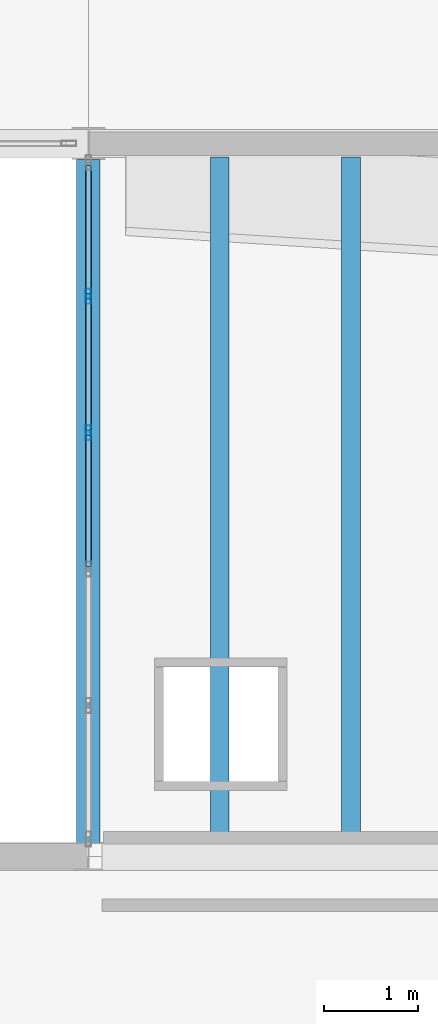
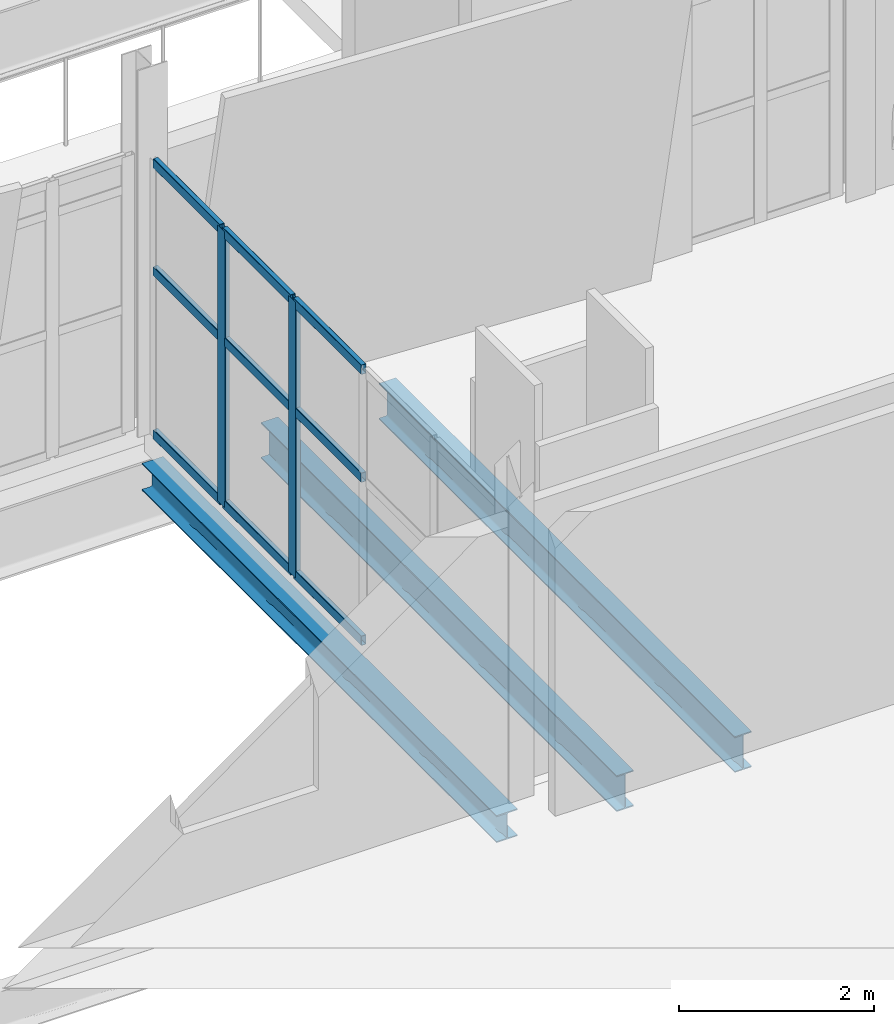
# One storey, part 12 of 136: 11 members, 3 beams, 1 element without a shape of its own.
"""IFC4 building model written with IfcOpenShell, lengths in metres."""

from ifc_helpers import new_model, si_unit, direction, frame, origin, origin_2d, place, context, subcontext, project, spatial, hollow_rectangle, i_section, extrude, material, material_profile, profile_set, type_object, element, aggregate, save


model = new_model("IFC4")

# Units and contexts
model_context = context("Model", 3, precision=1e-05, world=origin(), true_north=direction((0.0, 1.0)))
body_context = subcontext(model_context, "Body", "Model", "MODEL_VIEW")
ifc_project = project(units=[si_unit("LENGTHUNIT", "METRE"), si_unit("AREAUNIT", "SQUARE_METRE"), si_unit("VOLUMEUNIT", "CUBIC_METRE"), si_unit("PLANEANGLEUNIT", "RADIAN"), si_unit("MASSUNIT", "GRAM", prefix="KILO")], contexts=[model_context])

# Site, building, storey
site_placement = place(None, origin())
site = spatial("IfcSite", under=ifc_project, at=site_placement, CompositionType="ELEMENT")
building_placement = place(site_placement, origin())
building = spatial("IfcBuilding", under=site, at=building_placement, Name="Shengluoqiao Park Theatre", CompositionType="ELEMENT")
storey_placement = place(building_placement, frame((0.0, 0.0, 10.0)))
storey = spatial("IfcBuildingStorey", under=building, at=storey_placement, Name="L02", CompositionType="ELEMENT", Elevation=10.0)

# Curtain wall, members
ifc_material_1 = material(Name="Aluminium 6063-T6", Category="aluminium")
curtain_wall_type = type_object("IfcCurtainWallType", Name="ENV-CW-COURT", PredefinedType="NOTDEFINED", material=ifc_material_1)
curtain_wall_placement = place(storey_placement, origin())
curtain_wall = element("IfcCurtainWall", 1, at=curtain_wall_placement, inside=storey, type_object=curtain_wall_type, Name="L02 Curtain Wall CWX-L02-0165", PredefinedType="NOTDEFINED")
ifc_material_profile_1 = material_profile(ifc_material_1, hollow_rectangle(XDim=0.06005859375, YDim=0.159912109375, WallThickness=0.00390625, InnerFilletRadius=0.00390625, OuterFilletRadius=0.008056640625, at=origin_2d()), Name="ALU MULLION 160x60x4")
ifc_profile_set_1 = profile_set([ifc_material_profile_1], Name="Aluminium 6063-T6")
member_type_1 = type_object("IfcMemberType", Name="ENV-MUL-160", PredefinedType="MULLION", material=ifc_profile_set_1)
member_1_placement = place(storey_placement, frame((19.199951171875, 27.31591796875, 0.0), z_axis=(0.0, 0.0, 1.0), x_axis=(-1.0, 0.0, 0.0)))
member_1 = element("IfcMember", 2, at=member_1_placement, type_object=member_type_1, Name="CW-05 mullion 4", PredefinedType="MULLION", context=body_context, shape_type="SweptSolid", body=[
    extrude(hollow_rectangle(XDim=0.06005859375, YDim=0.159912109375, WallThickness=0.00390625, InnerFilletRadius=0.00390625, OuterFilletRadius=0.008056640625, at=origin_2d()), origin(), (0.0, 0.0, 1.0), 3.4580078125),
])
member_2_placement = place(storey_placement, frame((19.199951171875, 28.77001953125, 0.0), z_axis=(0.0, 0.0, 1.0), x_axis=(-1.0, 0.0, 0.0)))
member_2 = element("IfcMember", 3, at=member_2_placement, type_object=member_type_1, Name="CW-05 mullion 5", PredefinedType="MULLION", context=body_context, shape_type="SweptSolid", body=[
    extrude(hollow_rectangle(XDim=0.06005859375, YDim=0.159912109375, WallThickness=0.00390625, InnerFilletRadius=0.00390625, OuterFilletRadius=0.008056640625, at=origin_2d()), origin(), (0.0, 0.0, 1.0), 3.4580078125),
])
ifc_material_profile_2 = material_profile(ifc_material_1, hollow_rectangle(XDim=0.06005859375, YDim=0.1201171875, WallThickness=0.00390625, InnerFilletRadius=0.00390625, OuterFilletRadius=0.008056640625, at=origin_2d()), Name="ALU TRANSOM 120x60x4")
ifc_profile_set_2 = profile_set([ifc_material_profile_2], Name="Aluminium 6063-T6")
member_type_2 = type_object("IfcMemberType", Name="ENV-TRN-120", PredefinedType="USERDEFINED", material=ifc_profile_set_2)
member_3_placement = place(storey_placement, frame((19.199951171875, 25.89208984375, 0.030029296875), z_axis=(0.0, 1.0, 0.0), x_axis=(-1.0, 0.0, 0.0)))
member_3 = element("IfcMember", 4, at=member_3_placement, type_object=member_type_2, Name="CW-05 transom 3.1", ObjectType="TRANSOM", PredefinedType="USERDEFINED", context=body_context, shape_type="SweptSolid", body=[
    extrude(hollow_rectangle(XDim=0.06005859375, YDim=0.1201171875, WallThickness=0.00390625, InnerFilletRadius=0.00390625, OuterFilletRadius=0.008056640625, at=origin_2d()), origin(), (0.0, 0.0, 1.0), 1.393798828125),
])
member_4_placement = place(storey_placement, frame((19.199951171875, 25.89208984375, 2.074951171875), z_axis=(0.0, 1.0, 0.0), x_axis=(-1.0, 0.0, 0.0)))
member_4 = element("IfcMember", 5, at=member_4_placement, type_object=member_type_2, Name="CW-05 transom 3.2", ObjectType="TRANSOM", PredefinedType="USERDEFINED", context=body_context, shape_type="SweptSolid", body=[
    extrude(hollow_rectangle(XDim=0.06005859375, YDim=0.1201171875, WallThickness=0.00390625, InnerFilletRadius=0.00390625, OuterFilletRadius=0.008056640625, at=origin_2d()), origin(), (0.0, 0.0, 1.0), 1.393798828125),
])
member_5_placement = place(storey_placement, frame((19.199951171875, 25.89208984375, 3.427978515625), z_axis=(0.0, 1.0, 0.0), x_axis=(-1.0, 0.0, 0.0)))
member_5 = element("IfcMember", 6, at=member_5_placement, type_object=member_type_2, Name="CW-05 transom 3.3", ObjectType="TRANSOM", PredefinedType="USERDEFINED", context=body_context, shape_type="SweptSolid", body=[
    extrude(hollow_rectangle(XDim=0.06005859375, YDim=0.1201171875, WallThickness=0.00390625, InnerFilletRadius=0.00390625, OuterFilletRadius=0.008056640625, at=origin_2d()), origin(), (0.0, 0.0, 1.0), 1.393798828125),
])
member_6_placement = place(storey_placement, frame((19.199951171875, 27.345947265625, 0.030029296875), z_axis=(0.0, 1.0, 0.0), x_axis=(-1.0, 0.0, 0.0)))
member_6 = element("IfcMember", 7, at=member_6_placement, type_object=member_type_2, Name="CW-05 transom 4.1", ObjectType="TRANSOM", PredefinedType="USERDEFINED", context=body_context, shape_type="SweptSolid", body=[
    extrude(hollow_rectangle(XDim=0.06005859375, YDim=0.1201171875, WallThickness=0.00390625, InnerFilletRadius=0.00390625, OuterFilletRadius=0.008056640625, at=origin_2d()), origin(), (0.0, 0.0, 1.0), 1.39404296875),
])
member_7_placement = place(storey_placement, frame((19.199951171875, 27.345947265625, 2.074951171875), z_axis=(0.0, 1.0, 0.0), x_axis=(-1.0, 0.0, 0.0)))
member_7 = element("IfcMember", 8, at=member_7_placement, type_object=member_type_2, Name="CW-05 transom 4.2", ObjectType="TRANSOM", PredefinedType="USERDEFINED", context=body_context, shape_type="SweptSolid", body=[
    extrude(hollow_rectangle(XDim=0.06005859375, YDim=0.1201171875, WallThickness=0.00390625, InnerFilletRadius=0.00390625, OuterFilletRadius=0.008056640625, at=origin_2d()), origin(), (0.0, 0.0, 1.0), 1.39404296875),
])
member_8_placement = place(storey_placement, frame((19.199951171875, 27.345947265625, 3.427978515625), z_axis=(0.0, 1.0, 0.0), x_axis=(-1.0, 0.0, 0.0)))
member_8 = element("IfcMember", 9, at=member_8_placement, type_object=member_type_2, Name="CW-05 transom 4.3", ObjectType="TRANSOM", PredefinedType="USERDEFINED", context=body_context, shape_type="SweptSolid", body=[
    extrude(hollow_rectangle(XDim=0.06005859375, YDim=0.1201171875, WallThickness=0.00390625, InnerFilletRadius=0.00390625, OuterFilletRadius=0.008056640625, at=origin_2d()), origin(), (0.0, 0.0, 1.0), 1.39404296875),
])
member_9_placement = place(storey_placement, frame((19.199951171875, 28.800048828125, 0.030029296875), z_axis=(0.0, 1.0, 0.0), x_axis=(-1.0, 0.0, 0.0)))
member_9 = element("IfcMember", 10, at=member_9_placement, type_object=member_type_2, Name="CW-05 transom 5.1", ObjectType="TRANSOM", PredefinedType="USERDEFINED", context=body_context, shape_type="SweptSolid", body=[
    extrude(hollow_rectangle(XDim=0.06005859375, YDim=0.1201171875, WallThickness=0.00390625, InnerFilletRadius=0.00390625, OuterFilletRadius=0.008056640625, at=origin_2d()), origin(), (0.0, 0.0, 1.0), 1.364013671875),
])
member_10_placement = place(storey_placement, frame((19.199951171875, 28.800048828125, 2.074951171875), z_axis=(0.0, 1.0, 0.0), x_axis=(-1.0, 0.0, 0.0)))
member_10 = element("IfcMember", 11, at=member_10_placement, type_object=member_type_2, Name="CW-05 transom 5.2", ObjectType="TRANSOM", PredefinedType="USERDEFINED", context=body_context, shape_type="SweptSolid", body=[
    extrude(hollow_rectangle(XDim=0.06005859375, YDim=0.1201171875, WallThickness=0.00390625, InnerFilletRadius=0.00390625, OuterFilletRadius=0.008056640625, at=origin_2d()), origin(), (0.0, 0.0, 1.0), 1.364013671875),
])
member_11_placement = place(storey_placement, frame((19.199951171875, 28.800048828125, 3.427978515625), z_axis=(0.0, 1.0, 0.0), x_axis=(-1.0, 0.0, 0.0)))
member_11 = element("IfcMember", 12, at=member_11_placement, type_object=member_type_2, Name="CW-05 transom 5.3", ObjectType="TRANSOM", PredefinedType="USERDEFINED", context=body_context, shape_type="SweptSolid", body=[
    extrude(hollow_rectangle(XDim=0.06005859375, YDim=0.1201171875, WallThickness=0.00390625, InnerFilletRadius=0.00390625, OuterFilletRadius=0.008056640625, at=origin_2d()), origin(), (0.0, 0.0, 1.0), 1.364013671875),
])
aggregate(curtain_wall, [member_1, member_2, member_3, member_4, member_5, member_6, member_7, member_8, member_9, member_10, member_11])

# Beams
ifc_material_2 = material(Name="Steel Q355", Category="steel")
ifc_material_profile_3 = material_profile(ifc_material_2, i_section(OverallWidth=0.25, OverallDepth=0.340087890625, WebThickness=0.009033203125, FlangeThickness=0.013916015625, FilletRadius=0.01611328125, at=origin_2d()), Name="HM 340x250x9x14")
ifc_profile_set_3 = profile_set([ifc_material_profile_3], Name="Steel Q355")
beam_type_1 = type_object("IfcBeamType", Name="STR-BM-G-HM340", PredefinedType="BEAM", material=ifc_profile_set_3)
beam_placement = place(storey_placement, frame((19.199951171875, 22.944091796875, -0.510009765625), z_axis=(0.0, 1.0, 0.0), x_axis=(-1.0, 0.0, 0.0)))
element("IfcBeam", 13, at=beam_placement, inside=storey, type_object=beam_type_1, Name="L02 Transverse Girder 00932", PredefinedType="BEAM", context=body_context, shape_type="SweptSolid", body=[
    extrude(i_section(OverallWidth=0.25, OverallDepth=0.340087890625, WebThickness=0.009033203125, FlangeThickness=0.013916015625, FilletRadius=0.01611328125, at=origin_2d()), origin(), (0.0, 0.0, 1.0), 7.286865234375),
])
ifc_material_profile_4 = material_profile(ifc_material_2, i_section(OverallWidth=0.199951171875, OverallDepth=0.449951171875, WebThickness=0.009033203125, FlangeThickness=0.013916015625, FilletRadius=0.01611328125, at=origin_2d()), Name="HN 450x200x9x14")
ifc_profile_set_4 = profile_set([ifc_material_profile_4], Name="Steel Q355")
beam_type_2 = type_object("IfcBeamType", Name="STR-BM-J-HN450", PredefinedType="JOIST", material=ifc_profile_set_4)
for number, where, z_axis, x_axis, name in (
    (14, (20.60009765625, 22.945068359375, -0.56494140625), (0.0, 1.0, 0.0), (-1.0, 0.0, 0.0), "L02 Composite Joist 00935"),
    (15, (22.0, 22.945068359375, -0.56494140625), (0.0, 1.0, 0.0), (-1.0, 0.0, 0.0), "L02 Composite Joist 00936"),
):
    element("IfcBeam", number, at=place(storey_placement, frame(where, z_axis=z_axis, x_axis=x_axis)), inside=storey, type_object=beam_type_2, Name=name, PredefinedType="JOIST", context=body_context, shape_type="SweptSolid", body=[
        extrude(i_section(OverallWidth=0.199951171875, OverallDepth=0.449951171875, WebThickness=0.009033203125, FlangeThickness=0.013916015625, FilletRadius=0.01611328125, at=origin_2d()), origin(), (0.0, 0.0, 1.0), 7.309814453125),
    ])

save(model, "model.ifc")
